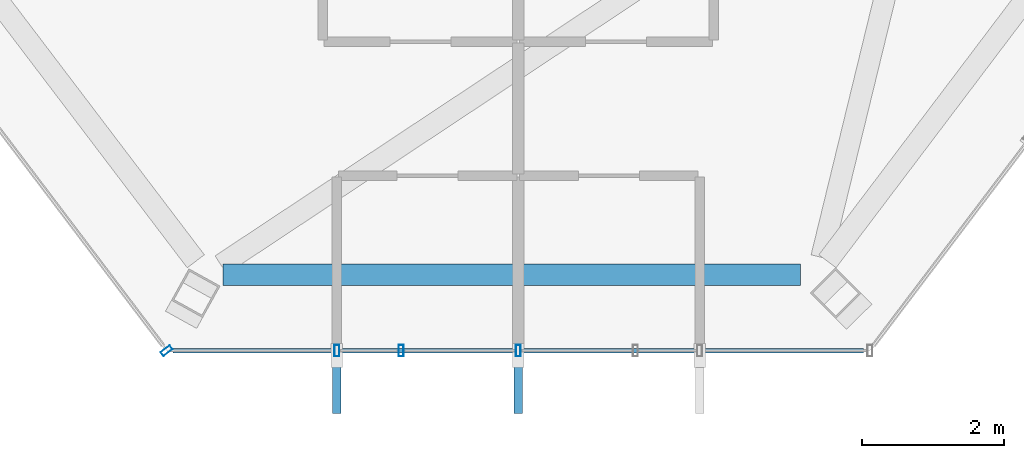
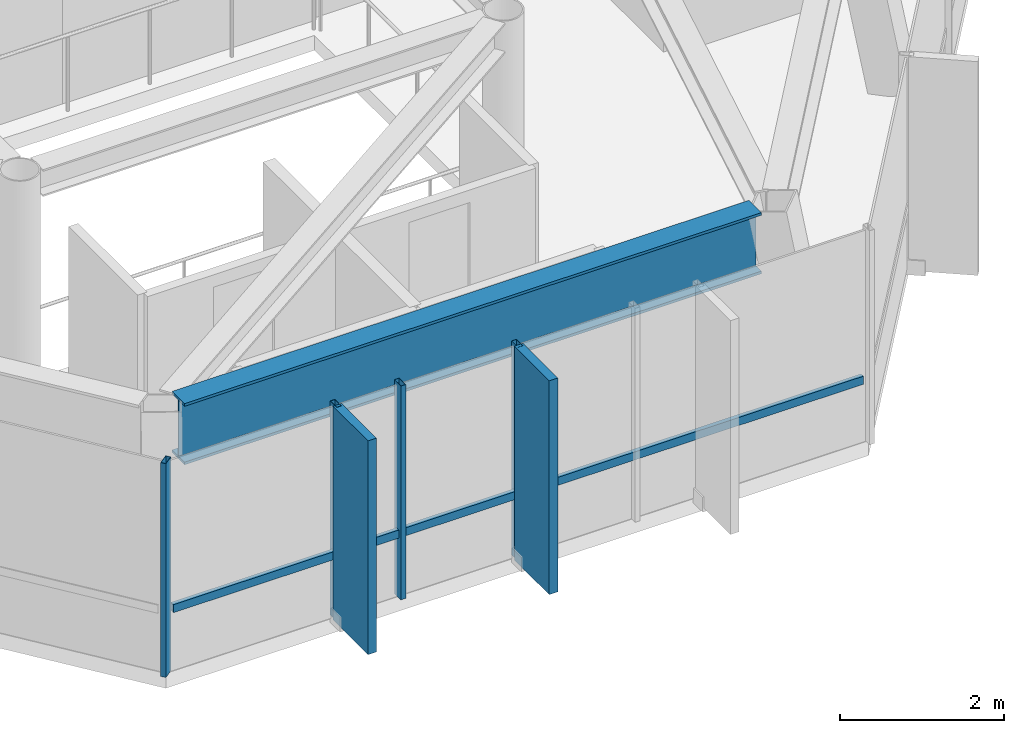
# One storey, part 5 of 26: 7 members, 1 beam, 2 elements without a shape of their own.
"""IFC4 building model written with IfcOpenShell, lengths in metres."""

from ifc_helpers import new_model, si_unit, direction, frame, origin, origin_2d, place, context, subcontext, project, spatial, rectangle, hollow_rectangle, i_section, extrude, material, layer, layer_set, material_profile, profile_set, type_object, element, aggregate, save


model = new_model("IFC4")

# Units and contexts
model_context = context("Model", 3, precision=1e-05, world=origin(), true_north=direction((0.0, 1.0)))
body_context = subcontext(model_context, "Body", "Model", "MODEL_VIEW")
ifc_project = project(units=[si_unit("LENGTHUNIT", "METRE"), si_unit("AREAUNIT", "SQUARE_METRE"), si_unit("VOLUMEUNIT", "CUBIC_METRE"), si_unit("PLANEANGLEUNIT", "RADIAN"), si_unit("MASSUNIT", "GRAM", prefix="KILO")], contexts=[model_context])

# Site, building, storey
site_placement = place(None, origin())
site = spatial("IfcSite", under=ifc_project, at=site_placement, CompositionType="ELEMENT")
building_placement = place(site_placement, origin())
building = spatial("IfcBuilding", under=site, at=building_placement, Name="Zarrinselat Tower", CompositionType="ELEMENT")
storey_placement = place(building_placement, frame((0.0, 0.0, 265.199951171875)))
storey = spatial("IfcBuildingStorey", under=building, at=storey_placement, Name="L67", CompositionType="ELEMENT", Elevation=265.199951171875)

# Beam
ifc_material_1 = material(Name="Steel S460M", Category="steel")
ifc_material_profile_1 = material_profile(ifc_material_1, i_section(OverallWidth=0.302001953125, OverallDepth=0.909912109375, WebThickness=0.02099609375, FlangeThickness=0.0400390625, at=origin_2d()), Name="HEM 900")
ifc_profile_set_1 = profile_set([ifc_material_profile_1], Name="Steel S460M")
beam_type = type_object("IfcBeamType", Name="BM-HEM900", PredefinedType="BEAM", material=ifc_profile_set_1)
beam_placement = place(storey_placement, frame((34.2490234375, 20.0380859375, 2.72509765625), z_axis=(1.0, 0.0, 0.0), x_axis=(0.0, 1.0, 0.0)))
element("IfcBeam", 1, at=beam_placement, inside=storey, type_object=beam_type, Name="L67 Perimeter Spandrel Girder SP10", PredefinedType="BEAM", context=body_context, shape_type="SweptSolid", body=[
    extrude(i_section(OverallWidth=0.302001953125, OverallDepth=0.909912109375, WebThickness=0.02099609375, FlangeThickness=0.0400390625, at=origin_2d()), origin(), (0.0, 0.0, 1.0), 8.11669921875),
])

# Curtain wall, member
ifc_material_2 = material(Name="Extruded Aluminium Alloy EN AW-6063 T6", Category="aluminium")
ifc_layer = layer(ifc_material_2, 0.169921875)
ifc_layer_set = layer_set([ifc_layer], Name="Extruded Aluminium Alloy EN AW-6063 T6")
curtain_wall_type = type_object("IfcCurtainWallType", Name="CWS-RES", PredefinedType="NOTDEFINED", material=ifc_layer_set)
curtain_wall_1_placement = place(storey_placement, origin())
curtain_wall_1 = element("IfcCurtainWall", 2, at=curtain_wall_1_placement, inside=storey, type_object=curtain_wall_type, Name="L67 Unitised Curtain Wall CW-L67-E03", PredefinedType="NOTDEFINED")
ifc_material_3 = material(Name="Extruded Aluminium Alloy EN AW-6063 T6", Category="aluminium")
ifc_material_profile_2 = material_profile(ifc_material_3, hollow_rectangle(XDim=0.070068359375, YDim=0.159912109375, WallThickness=0.00390625, at=origin_2d()), Name="RHS 160x70x4")
ifc_profile_set_2 = profile_set([ifc_material_profile_2], Name="Extruded Aluminium Alloy EN AW-6063 T6")
member_type_1 = type_object("IfcMemberType", Name="MEM-CW-MUL2", PredefinedType="MULLION", material=ifc_profile_set_2)
member_1_placement = place(storey_placement, frame((33.457275390625, 18.97119140625, 0.0), z_axis=(0.0, 0.0, 1.0), x_axis=(0.603858282603, -0.797091697694, 0.0)))
member_1 = element("IfcMember", 3, at=member_1_placement, type_object=member_type_1, Name="CW-L67-E03 Mullion 10", PredefinedType="MULLION", context=body_context, shape_type="SweptSolid", body=[
    extrude(hollow_rectangle(XDim=0.070068359375, YDim=0.159912109375, WallThickness=0.00390625, at=origin_2d()), origin(), (0.0, 0.0, 1.0), 3.179931640625),
])
aggregate(curtain_wall_1, [member_1])

# Curtain wall, members
curtain_wall_2_placement = place(storey_placement, origin())
curtain_wall_2 = element("IfcCurtainWall", 4, at=curtain_wall_2_placement, inside=storey, type_object=curtain_wall_type, Name="L67 Unitised Curtain Wall CW-L67-E04", PredefinedType="NOTDEFINED")
member_2_placement = place(storey_placement, frame((35.85009765625, 18.97119140625, 0.0), z_axis=(0.0, 0.0, 1.0), x_axis=(1.0, 0.0, 0.0)))
member_2 = element("IfcMember", 5, at=member_2_placement, type_object=member_type_1, Name="CW-L67-E04 Mullion 1", PredefinedType="MULLION", context=body_context, shape_type="SweptSolid", body=[
    extrude(hollow_rectangle(XDim=0.070068359375, YDim=0.159912109375, WallThickness=0.00390625, at=origin_2d()), origin(), (0.0, 0.0, 1.0), 3.179931640625),
])
member_3_placement = place(storey_placement, frame((36.75244140625, 18.97119140625, 0.0), z_axis=(0.0, 0.0, 1.0), x_axis=(1.0, 0.0, 0.0)))
member_3 = element("IfcMember", 6, at=member_3_placement, type_object=member_type_1, Name="CW-L67-E04 Mullion 2", PredefinedType="MULLION", context=body_context, shape_type="SweptSolid", body=[
    extrude(hollow_rectangle(XDim=0.070068359375, YDim=0.159912109375, WallThickness=0.00390625, at=origin_2d()), origin(), (0.0, 0.0, 1.0), 3.179931640625),
])
member_4_placement = place(storey_placement, frame((38.39990234375, 18.97119140625, 0.0), z_axis=(0.0, 0.0, 1.0), x_axis=(1.0, 0.0, 0.0)))
member_4 = element("IfcMember", 7, at=member_4_placement, type_object=member_type_1, Name="CW-L67-E04 Mullion 3", PredefinedType="MULLION", context=body_context, shape_type="SweptSolid", body=[
    extrude(hollow_rectangle(XDim=0.070068359375, YDim=0.159912109375, WallThickness=0.00390625, at=origin_2d()), origin(), (0.0, 0.0, 1.0), 3.179931640625),
])
ifc_material_4 = material(Name="Extruded Aluminium Alloy EN AW-6063 T6", Category="aluminium")
ifc_material_profile_3 = material_profile(ifc_material_4, hollow_rectangle(XDim=0.06005859375, YDim=0.1201171875, WallThickness=0.00390625, at=origin_2d()), Name="RHS 120x60x4")
ifc_profile_set_3 = profile_set([ifc_material_profile_3], Name="Extruded Aluminium Alloy EN AW-6063 T6")
member_type_2 = type_object("IfcMemberType", Name="MEM-CW-TRN2", PredefinedType="USERDEFINED", material=ifc_profile_set_3)
member_5_placement = place(storey_placement, frame((33.54736328125, 18.97119140625, 0.949951171875), z_axis=(1.0, 0.0, 0.0), x_axis=(0.0, 1.0, 0.0)))
member_5 = element("IfcMember", 8, at=member_5_placement, type_object=member_type_2, Name="CW-L67-E04 Transom 1", ObjectType="TRANSOM", PredefinedType="USERDEFINED", context=body_context, shape_type="SweptSolid", body=[
    extrude(hollow_rectangle(XDim=0.06005859375, YDim=0.1201171875, WallThickness=0.00390625, at=origin_2d()), origin(), (0.0, 0.0, 1.0), 9.705322265625),
])
ifc_material_5 = material(Name="Honed Cream Travertine Stone", Category="masonry")
ifc_material_profile_4 = material_profile(ifc_material_5, rectangle(XDim=0.1201171875, YDim=0.85009765625, at=origin_2d()), Name="FIN 850x120")
ifc_profile_set_4 = profile_set([ifc_material_profile_4], Name="Honed Cream Travertine Stone")
member_type_3 = type_object("IfcMemberType", Name="MEM-STONE-FIN", PredefinedType="USERDEFINED", material=ifc_profile_set_4)
member_6_placement = place(storey_placement, frame((35.85009765625, 18.510986328125, 0.0), z_axis=(0.0, 0.0, 1.0), x_axis=(-1.0, 0.0, 0.0)))
member_6 = element("IfcMember", 9, at=member_6_placement, type_object=member_type_3, Name="L67 Stone Shading Fin CW-L67-E04-01", ObjectType="FIN", PredefinedType="USERDEFINED", context=body_context, shape_type="SweptSolid", body=[
    extrude(rectangle(XDim=0.1201171875, YDim=0.85009765625, at=origin_2d()), origin(), (0.0, 0.0, 1.0), 3.179931640625),
])
member_7_placement = place(storey_placement, frame((38.39990234375, 18.510986328125, 0.0), z_axis=(0.0, 0.0, 1.0), x_axis=(-1.0, 0.0, 0.0)))
member_7 = element("IfcMember", 10, at=member_7_placement, type_object=member_type_3, Name="L67 Stone Shading Fin CW-L67-E04-03", ObjectType="FIN", PredefinedType="USERDEFINED", context=body_context, shape_type="SweptSolid", body=[
    extrude(rectangle(XDim=0.1201171875, YDim=0.85009765625, at=origin_2d()), origin(), (0.0, 0.0, 1.0), 3.179931640625),
])
aggregate(curtain_wall_2, [member_2, member_6, member_3, member_4, member_7, member_5])

save(model, "model.ifc")
